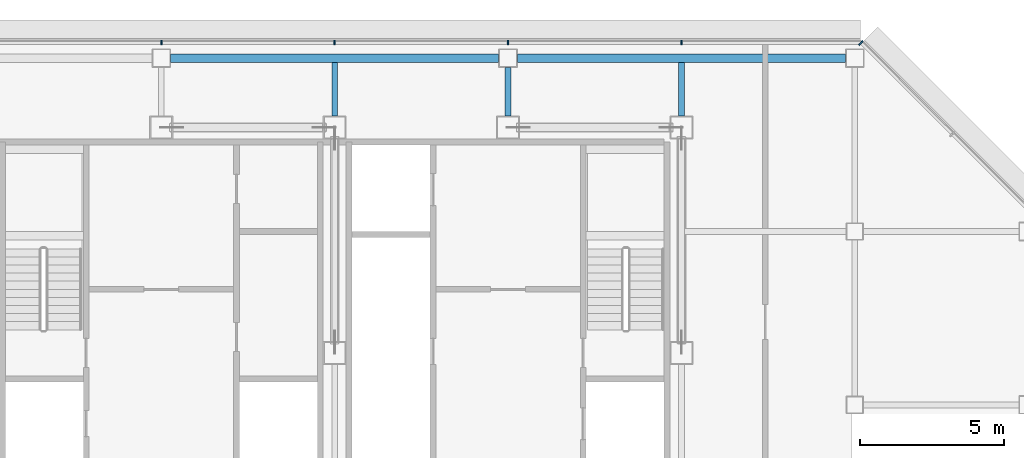
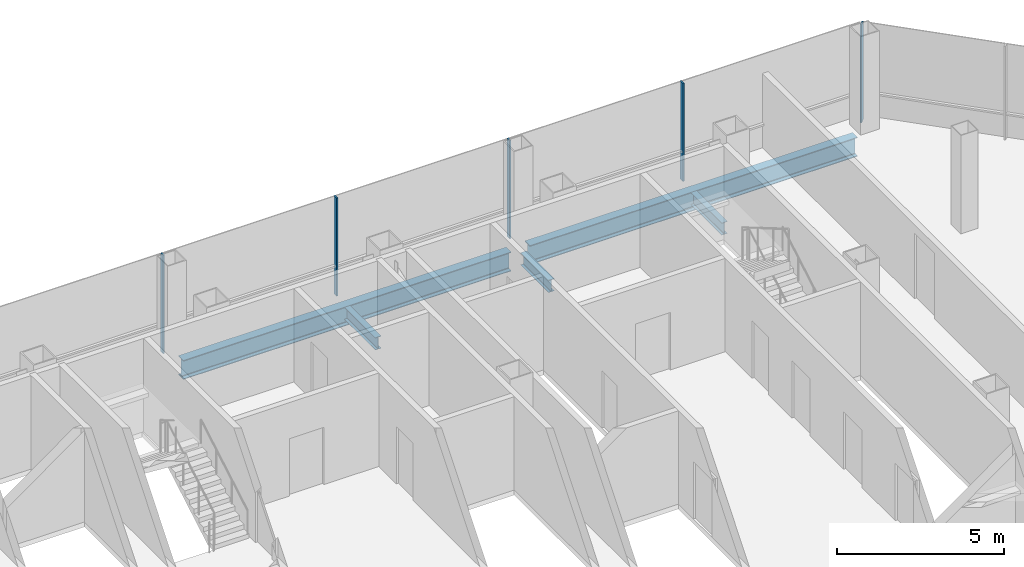
# One storey, part 15 of 27: 5 beams, 5 members, 2 elements without a shape of their own.
"""IFC4 building model written with IfcOpenShell, lengths in metres."""

from ifc_helpers import new_model, si_unit, direction, frame, origin, origin_2d, place, context, subcontext, project, spatial, rectangle, i_section, extrude, material, material_profile, profile_set, type_object, element, aggregate, save


model = new_model("IFC4")

# Units and contexts
model_context = context("Model", 3, precision=1e-05, world=origin(), true_north=direction((0.0, 1.0)))
body_context = subcontext(model_context, "Body", "Model", "MODEL_VIEW")
ifc_project = project(units=[si_unit("LENGTHUNIT", "METRE"), si_unit("AREAUNIT", "SQUARE_METRE"), si_unit("VOLUMEUNIT", "CUBIC_METRE"), si_unit("PLANEANGLEUNIT", "RADIAN"), si_unit("MASSUNIT", "GRAM", prefix="KILO")], contexts=[model_context])

# Site, building, storey
site_placement = place(None, origin())
site = spatial("IfcSite", under=ifc_project, at=site_placement, CompositionType="ELEMENT")
building_placement = place(site_placement, origin())
building = spatial("IfcBuilding", under=site, at=building_placement, Name="Sorahane Residences", CompositionType="ELEMENT")
storey_placement = place(building_placement, frame((0.0, 0.0, 239.60009765625)))
storey = spatial("IfcBuildingStorey", under=building, at=storey_placement, Name="L56", CompositionType="ELEMENT", Elevation=239.60009765625)

# Curtain wall, members
ifc_material_1 = material(Name="Dark low-e glass and black anodised aluminium", Category="aluminium")
curtain_wall_type_1 = type_object("IfcCurtainWallType", Name="Curtain wall CW-1 Typical unitised wall", PredefinedType="NOTDEFINED", material=ifc_material_1)
curtain_wall_1_placement = place(storey_placement, origin())
curtain_wall_1 = element("IfcCurtainWall", 1, at=curtain_wall_1_placement, inside=storey, type_object=curtain_wall_type_1, Name="CW-1 curtain wall L56 N1", PredefinedType="NOTDEFINED")
ifc_material_2 = material(Name="Black anodised aluminium", Category="aluminium")
ifc_material_profile_1 = material_profile(ifc_material_2, rectangle(XDim=0.159912109375, YDim=0.050048828125, at=origin_2d()), Name="Curtain wall mullion CW-1 black anodised aluminium 50x160")
ifc_profile_set_1 = profile_set([ifc_material_profile_1], Name="Black anodised aluminium")
member_type_1 = type_object("IfcMemberType", Name="Curtain wall mullion CW-1 black anodised aluminium 50x160", PredefinedType="MULLION", material=ifc_profile_set_1)
member_1_placement = place(storey_placement, frame((42.0, 48.5400390625, -0.18017578125), z_axis=(0.0, 0.0, 1.0), x_axis=(0.0, 1.0, 0.0)))
member_1 = element("IfcMember", 2, at=member_1_placement, type_object=member_type_1, Name="CW-1 mullion L56 N1.2", PredefinedType="MULLION", context=body_context, shape_type="SweptSolid", body=[
    extrude(rectangle(XDim=0.159912109375, YDim=0.050048828125, at=origin_2d()), origin(), (0.0, 0.0, 1.0), 3.60009765625),
])
member_2_placement = place(storey_placement, frame((36.0, 48.5400390625, -0.18017578125), z_axis=(0.0, 0.0, 1.0), x_axis=(0.0, 1.0, 0.0)))
member_2 = element("IfcMember", 3, at=member_2_placement, type_object=member_type_1, Name="CW-1 mullion L56 N1.3", PredefinedType="MULLION", context=body_context, shape_type="SweptSolid", body=[
    extrude(rectangle(XDim=0.159912109375, YDim=0.050048828125, at=origin_2d()), origin(), (0.0, 0.0, 1.0), 3.60009765625),
])
member_3_placement = place(storey_placement, frame((30.0, 48.5400390625, -0.18017578125), z_axis=(0.0, 0.0, 1.0), x_axis=(0.0, 1.0, 0.0)))
member_3 = element("IfcMember", 4, at=member_3_placement, type_object=member_type_1, Name="CW-1 mullion L56 N1.4", PredefinedType="MULLION", context=body_context, shape_type="SweptSolid", body=[
    extrude(rectangle(XDim=0.159912109375, YDim=0.050048828125, at=origin_2d()), origin(), (0.0, 0.0, 1.0), 3.60009765625),
])
member_4_placement = place(storey_placement, frame((24.0, 48.5400390625, -0.18017578125), z_axis=(0.0, 0.0, 1.0), x_axis=(0.0, 1.0, 0.0)))
member_4 = element("IfcMember", 5, at=member_4_placement, type_object=member_type_1, Name="CW-1 mullion L56 N1.5", PredefinedType="MULLION", context=body_context, shape_type="SweptSolid", body=[
    extrude(rectangle(XDim=0.159912109375, YDim=0.050048828125, at=origin_2d()), origin(), (0.0, 0.0, 1.0), 3.60009765625),
])
aggregate(curtain_wall_1, [member_1, member_2, member_3, member_4])

# Curtain wall, member
ifc_material_3 = material(Name="Dark low-e glass and black anodised aluminium", Category="aluminium")
curtain_wall_type_2 = type_object("IfcCurtainWallType", Name="Curtain wall CW-2 Chamfer unitised wall", PredefinedType="NOTDEFINED", material=ifc_material_3)
curtain_wall_2_placement = place(storey_placement, origin())
curtain_wall_2 = element("IfcCurtainWall", 6, at=curtain_wall_2_placement, inside=storey, type_object=curtain_wall_type_2, Name="CW-2 curtain wall L56 NE1", PredefinedType="NOTDEFINED")
ifc_material_4 = material(Name="Black anodised aluminium", Category="aluminium")
ifc_material_profile_2 = material_profile(ifc_material_4, rectangle(XDim=0.199951171875, YDim=0.050048828125, at=origin_2d()), Name="Curtain wall mullion CW-2 black anodised aluminium 50x200")
ifc_profile_set_2 = profile_set([ifc_material_profile_2], Name="Black anodised aluminium")
member_type_2 = type_object("IfcMemberType", Name="Curtain wall mullion CW-2 black anodised aluminium 50x200", PredefinedType="MULLION", material=ifc_profile_set_2)
member_5_placement = place(storey_placement, frame((48.209716796875, 48.525634765625, -0.18017578125), z_axis=(0.0, 0.0, 1.0), x_axis=(0.707106781187, 0.707106781187, 0.0)))
member_5 = element("IfcMember", 7, at=member_5_placement, type_object=member_type_2, Name="CW-2 mullion L56 NE1.3", PredefinedType="MULLION", context=body_context, shape_type="SweptSolid", body=[
    extrude(rectangle(XDim=0.199951171875, YDim=0.050048828125, at=origin_2d()), origin(), (0.0, 0.0, 1.0), 3.60009765625),
])
aggregate(curtain_wall_2, [member_5])

# Beams
ifc_material_5 = material(Name="Steel Q355B", Category="steel")
ifc_material_profile_3 = material_profile(ifc_material_5, i_section(OverallWidth=0.199951171875, OverallDepth=0.449951171875, WebThickness=0.009033203125, FlangeThickness=0.013916015625, FilletRadius=0.02001953125, at=origin_2d()), Name="HN 450x200x9x14")
ifc_profile_set_3 = profile_set([ifc_material_profile_3], Name="Steel Q355B")
beam_type_1 = type_object("IfcBeamType", Name="Steel floor beam HN 450x200x9x14 Q355B", PredefinedType="BEAM", material=ifc_profile_set_3)
beam_1_placement = place(storey_placement, frame((30.0, 46.0, -0.405029296875), z_axis=(0.0, 1.0, 0.0), x_axis=(-1.0, 0.0, 0.0)))
element("IfcBeam", 8, at=beam_1_placement, inside=storey, type_object=beam_type_1, Name="Beam L56 049", PredefinedType="BEAM", context=body_context, shape_type="SweptSolid", body=[
    extrude(i_section(OverallWidth=0.199951171875, OverallDepth=0.449951171875, WebThickness=0.009033203125, FlangeThickness=0.013916015625, FilletRadius=0.02001953125, at=origin_2d()), origin(), (0.0, 0.0, 1.0), 1.85009765625),
])
beam_2_placement = place(storey_placement, frame((36.0, 46.0, -0.405029296875), z_axis=(0.0, 1.0, 0.0), x_axis=(-1.0, 0.0, 0.0)))
element("IfcBeam", 9, at=beam_2_placement, inside=storey, type_object=beam_type_1, Name="Beam L56 051", PredefinedType="BEAM", context=body_context, shape_type="SweptSolid", body=[
    extrude(i_section(OverallWidth=0.199951171875, OverallDepth=0.449951171875, WebThickness=0.009033203125, FlangeThickness=0.013916015625, FilletRadius=0.02001953125, at=origin_2d()), origin(), (0.0, 0.0, 1.0), 1.675048828125),
])
beam_3_placement = place(storey_placement, frame((42.0, 46.0, -0.405029296875), z_axis=(0.0, 1.0, 0.0), x_axis=(-1.0, 0.0, 0.0)))
element("IfcBeam", 10, at=beam_3_placement, inside=storey, type_object=beam_type_1, Name="Beam L56 057", PredefinedType="BEAM", context=body_context, shape_type="SweptSolid", body=[
    extrude(i_section(OverallWidth=0.199951171875, OverallDepth=0.449951171875, WebThickness=0.009033203125, FlangeThickness=0.013916015625, FilletRadius=0.02001953125, at=origin_2d()), origin(), (0.0, 0.0, 1.0), 1.85009765625),
])
ifc_material_6 = material(Name="Steel Q355B", Category="steel")
ifc_material_profile_4 = material_profile(ifc_material_6, i_section(OverallWidth=0.300048828125, OverallDepth=0.699951171875, WebThickness=0.012939453125, FlangeThickness=0.02392578125, FilletRadius=0.028076171875, at=origin_2d()), Name="HN 700x300x13x24")
ifc_profile_set_4 = profile_set([ifc_material_profile_4], Name="Steel Q355B")
beam_type_2 = type_object("IfcBeamType", Name="Steel floor beam HN 700x300x13x24 Q355B", PredefinedType="BEAM", material=ifc_profile_set_4)
for number, where, z_axis, x_axis, name in (
    (11, (24.324951171875, 48.0, -0.530029296875), (1.0, 0.0, 0.0), (0.0, 1.0, 0.0), "Beam L56 018"),
    (12, (36.324951171875, 48.0, -0.530029296875), (1.0, 0.0, 0.0), (0.0, 1.0, 0.0), "Beam L56 019"),
):
    element("IfcBeam", number, at=place(storey_placement, frame(where, z_axis=z_axis, x_axis=x_axis)), inside=storey, type_object=beam_type_2, Name=name, PredefinedType="BEAM", context=body_context, shape_type="SweptSolid", body=[
        extrude(i_section(OverallWidth=0.300048828125, OverallDepth=0.699951171875, WebThickness=0.012939453125, FlangeThickness=0.02392578125, FilletRadius=0.028076171875, at=origin_2d()), origin(), (0.0, 0.0, 1.0), 11.35009765625),
    ])

save(model, "model.ifc")
